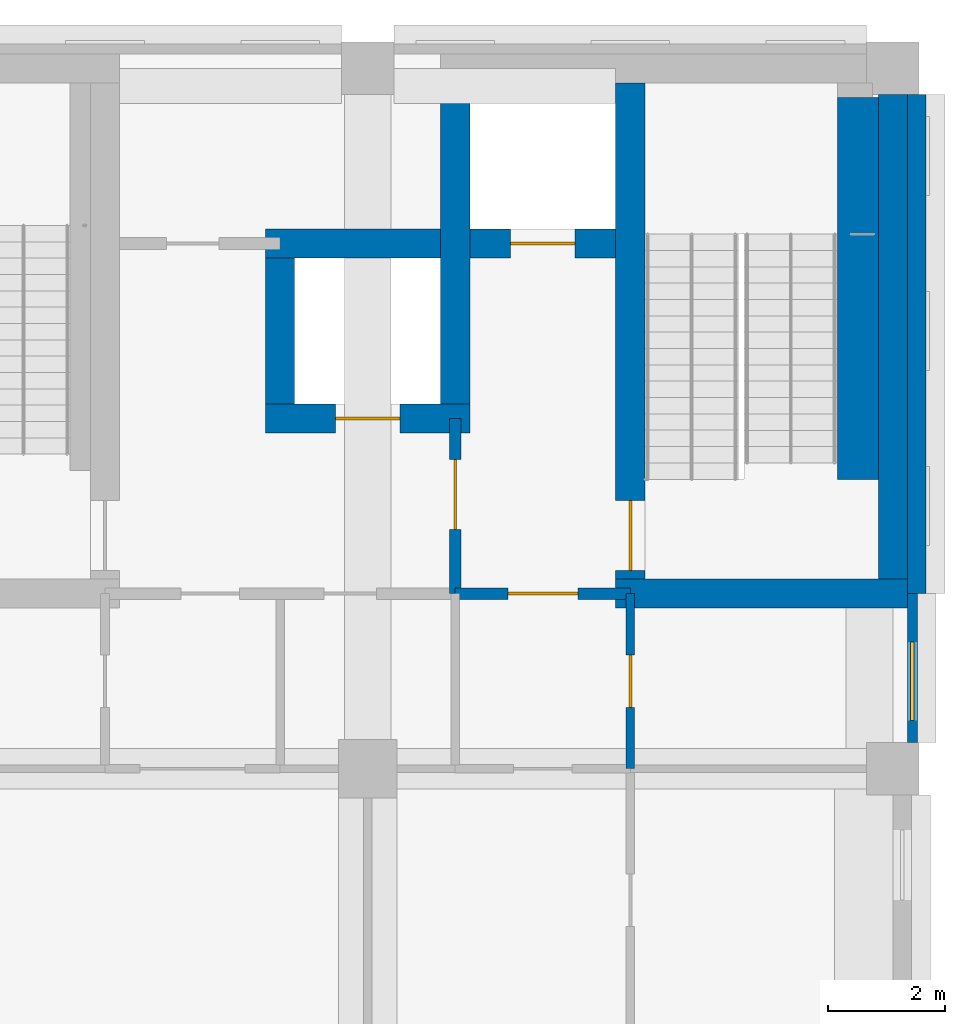
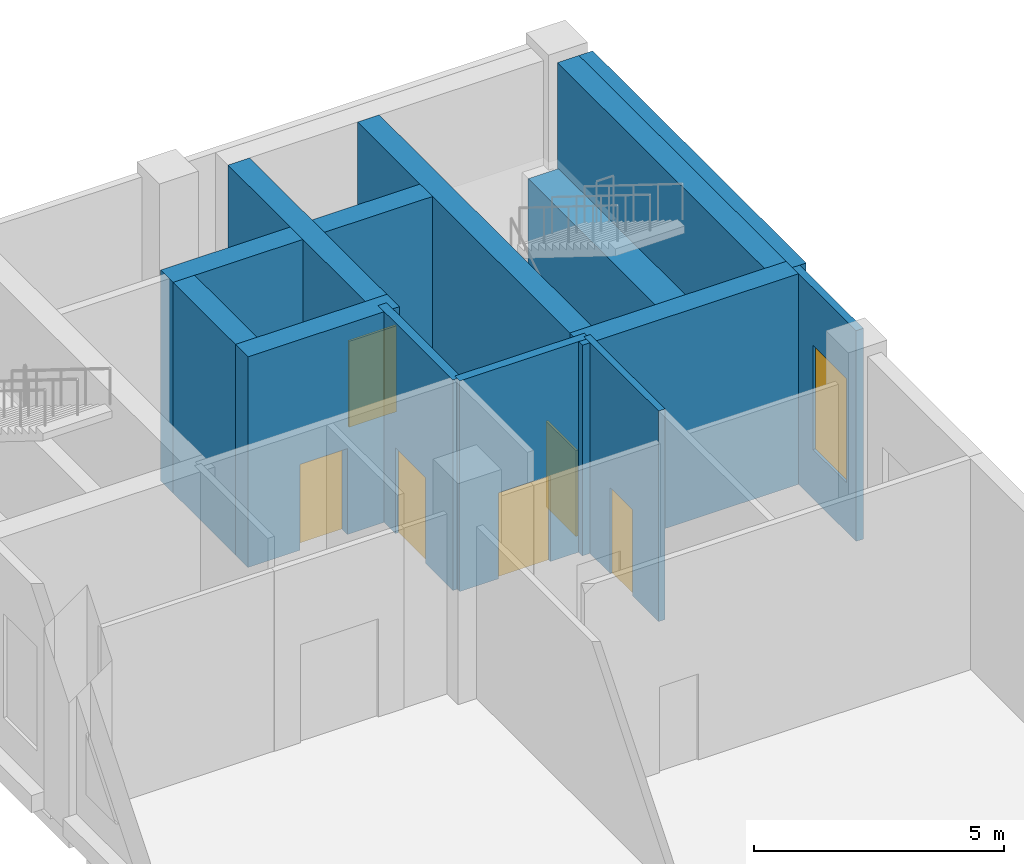
# One storey, part 35 of 53: 13 walls, 6 doors, 1 window, 7 openings.
"""IFC4 building model written with IfcOpenShell, lengths in metres."""

from ifc_helpers import new_model, si_unit, direction, frame, frame_2d, origin, place, context, subcontext, project, spatial, rectangle, extrude, material, layer, layer_set, type_object, element, fill, save


model = new_model("IFC4")

# Units and contexts
model_context = context("Model", 3, precision=1e-05, world=origin(), true_north=direction((0.0, 1.0)))
body_context = subcontext(model_context, "Body", "Model", "MODEL_VIEW")
ifc_project = project(units=[si_unit("LENGTHUNIT", "METRE"), si_unit("AREAUNIT", "SQUARE_METRE"), si_unit("VOLUMEUNIT", "CUBIC_METRE"), si_unit("PLANEANGLEUNIT", "RADIAN"), si_unit("MASSUNIT", "GRAM", prefix="KILO")], contexts=[model_context])

# Site, building, storey
site_placement = place(None, origin())
site = spatial("IfcSite", under=ifc_project, at=site_placement, CompositionType="ELEMENT")
building_placement = place(site_placement, origin())
building = spatial("IfcBuilding", under=site, at=building_placement, Name="Aurelan Courthouse", CompositionType="ELEMENT")
storey_placement = place(building_placement, frame((0.0, 0.0, 12.0)))
storey = spatial("IfcBuildingStorey", under=building, at=storey_placement, Name="L02", CompositionType="ELEMENT", Elevation=12.0)

# Wall, opening, door
ifc_material_1 = material(Name="Gypsum board on metal studs")
ifc_layer_1 = layer(ifc_material_1, 0.14990234375)
ifc_layer_set_1 = layer_set([ifc_layer_1], Name="Gypsum board on metal studs")
wall_type_1 = type_object("IfcWallType", Name="Corridor partition 150 EI 60", PredefinedType="PARTITIONING", material=ifc_layer_set_1)
wall_1_placement = place(storey_placement, frame((85.5, 54.0, 0.0), z_axis=(0.0, 0.0, 1.0), x_axis=(0.0, 1.0, 0.0)))
wall_1 = element("IfcWall", 1, at=wall_1_placement, inside=storey, type_object=wall_type_1, Name="Corridor partition L02-083", PredefinedType="PARTITIONING", context=body_context, shape_type="SweptSolid", body=[
    extrude(rectangle(XDim=3.0, YDim=0.14990234375, at=frame_2d((1.5, 0.0))), origin(), (0.0, 0.0, 1.0), 5.14990234375),
])
opening_1_placement = place(wall_1_placement, frame((1.949951171875, 0.0, 0.0), z_axis=(0.0, 0.0, 1.0), x_axis=(-1.0, 0.0, 0.0)))
opening_1 = element("IfcOpeningElement", 2, at=opening_1_placement, cuts=wall_1, Name="Opening D-L02-041", PredefinedType="OPENING", context=body_context, shape_type="SweptSolid", body=[
    extrude(rectangle(XDim=0.89990234375, YDim=2.10009765625, at=frame_2d((0.449951171875, 1.050048828125))), frame((0.0, 0.0849609375, 0.0), z_axis=(0.0, -1.0, 0.0), x_axis=(1.0, 0.0, 0.0)), (0.0, 0.0, 1.0), 0.169921875),
])
ifc_material_2 = material(Name="Steel", Category="steel")
door_type_1 = type_object("IfcDoorType", Name="Single door 900 x 2100 FD60", OperationType="SINGLE_SWING_LEFT", PredefinedType="DOOR", material=ifc_material_2)
door_1_placement = place(opening_1_placement, origin())
door_1 = element("IfcDoor", 3, at=door_1_placement, inside=storey, type_object=door_type_1, Name="Single door D-L02-041", OperationType="SINGLE_SWING_LEFT", OverallHeight=2.10009765625, OverallWidth=0.89990234375, PredefinedType="DOOR", context=body_context, shape_type="SweptSolid", body=[
    extrude(rectangle(XDim=0.89990234375, YDim=2.10009765625, at=frame_2d((0.449951171875, 1.050048828125))), frame((0.0, 0.02490234375, 0.0), z_axis=(0.0, -1.0, 0.0), x_axis=(1.0, 0.0, 0.0)), (0.0, 0.0, 1.0), 0.050048828125),
])
fill(opening_1, door_1)

# Wall, opening, window
ifc_material_3 = material(Name="Limestone cladding", Category="masonry")
ifc_layer_2 = layer(ifc_material_3, 0.050048828125, Name="Facing")
ifc_material_4 = material(Name="Ventilated cavity")
ifc_layer_3 = layer(ifc_material_4, 0.02490234375, ventilated=True, Name="Ventilated cavity")
ifc_material_5 = material(Name="Mineral wool insulation")
ifc_layer_4 = layer(ifc_material_5, 0.02490234375, Name="Insulation")
ifc_material_6 = material(Name="Concrete C30", Category="concrete")
ifc_layer_5 = layer(ifc_material_6, 0.070068359375, Name="Structure")
ifc_layer_set_2 = layer_set([ifc_layer_2, ifc_layer_3, ifc_layer_4, ifc_layer_5], Name="Concrete C30")
wall_type_2 = type_object("IfcWallType", Name="Law Library stone-faced wall 170", PredefinedType="SOLIDWALL", material=ifc_layer_set_2)
wall_2_placement = place(storey_placement, frame((90.3349609375, 54.449951171875, 0.0), z_axis=(0.0, 0.0, 1.0), x_axis=(0.0, 1.0, 0.0)))
wall_2 = element("IfcWall", 4, at=wall_2_placement, inside=storey, type_object=wall_type_2, Name="Facade wall FW-V3-L02-006", PredefinedType="SOLIDWALL", context=body_context, shape_type="SweptSolid", body=[
    extrude(rectangle(XDim=2.550048828125, YDim=0.169921875, at=frame_2d((1.27490234375, 0.0))), origin(), (0.0, 0.0, 1.0), 5.14990234375),
])
opening_2_placement = place(wall_2_placement, frame((0.375, 0.0, 1.199951171875)))
opening_2 = element("IfcOpeningElement", 5, at=opening_2_placement, cuts=wall_2, Name="Opening WN-V3-L02-008", PredefinedType="OPENING", context=body_context, shape_type="SweptSolid", body=[
    extrude(rectangle(XDim=1.35009765625, YDim=2.550048828125, at=frame_2d((0.675048828125, 1.27490234375))), frame((0.0, 0.094970703125, 0.0), z_axis=(0.0, -1.0, 0.0), x_axis=(1.0, 0.0, 0.0)), (0.0, 0.0, 1.0), 0.18994140625),
])
ifc_material_7 = material(Name="Bronze-finished aluminium and glass", Category="aluminium")
window_type = type_object("IfcWindowType", Name="Law Library window 1350 x 2550, sill 1200", PartitioningType="SINGLE_PANEL", PredefinedType="WINDOW", material=ifc_material_7)
window_placement = place(opening_2_placement, origin())
window = element("IfcWindow", 6, at=window_placement, inside=storey, type_object=window_type, Name="Window WN-V3-L02-008", OverallHeight=2.550048828125, OverallWidth=1.35009765625, PartitioningType="SINGLE_PANEL", PredefinedType="WINDOW", context=body_context, shape_type="SweptSolid", body=[
    extrude(rectangle(XDim=1.35009765625, YDim=2.550048828125, at=frame_2d((0.675048828125, 1.27490234375))), frame((0.0, 0.030029296875, 0.0), z_axis=(0.0, -1.0, 0.0), x_axis=(1.0, 0.0, 0.0)), (0.0, 0.0, 1.0), 0.06005859375),
])
fill(opening_2, window)

# Wall
ifc_layer_6 = layer(ifc_material_3, 0.090087890625, Name="Facing")
ifc_layer_7 = layer(ifc_material_4, 0.02490234375, ventilated=True, Name="Ventilated cavity")
ifc_layer_8 = layer(ifc_material_5, 0.044921875, Name="Insulation")
ifc_layer_9 = layer(ifc_material_6, 0.159912109375, Name="Structure")
ifc_layer_set_3 = layer_set([ifc_layer_6, ifc_layer_7, ifc_layer_8, ifc_layer_9], Name="Concrete C30")
wall_type_3 = type_object("IfcWallType", Name="Law Library stone-faced wall 320", PredefinedType="SOLIDWALL", material=ifc_layer_set_3)
wall_3_placement = place(storey_placement, frame((90.409912109375, 57.0, 0.0), z_axis=(0.0, 0.0, 1.0), x_axis=(0.0, 1.0, 0.0)))
element("IfcWall", 7, at=wall_3_placement, inside=storey, type_object=wall_type_3, Name="Facade wall FW-V3-L02-007", PredefinedType="SOLIDWALL", context=body_context, shape_type="SweptSolid", body=[
    extrude(rectangle(XDim=8.550048828125, YDim=0.320068359375, at=frame_2d((4.27490234375, 0.0))), origin(), (0.0, 0.0, 1.0), 5.14990234375),
])

# Wall, opening, door
ifc_material_8 = material(Name="Masonry block", Category="masonry")
ifc_layer_10 = layer(ifc_material_8, 0.199951171875)
ifc_layer_set_4 = layer_set([ifc_layer_10], Name="Masonry block")
wall_type_4 = type_object("IfcWallType", Name="Lift lobby wall 200 EI 60", PredefinedType="PARTITIONING", material=ifc_layer_set_4)
wall_4_placement = place(storey_placement, frame((82.5, 57.0, 0.0), z_axis=(0.0, 0.0, 1.0), x_axis=(1.0, 0.0, 0.0)))
wall_4 = element("IfcWall", 8, at=wall_4_placement, inside=storey, type_object=wall_type_4, Name="Lift lobby wall L02-044", PredefinedType="PARTITIONING", context=body_context, shape_type="SweptSolid", body=[
    extrude(rectangle(XDim=3.0, YDim=0.199951171875, at=frame_2d((1.5, 0.0))), origin(), (0.0, 0.0, 1.0), 5.14990234375),
])
opening_3_placement = place(wall_4_placement, frame((0.89990234375, 0.0, 0.0)))
opening_3 = element("IfcOpeningElement", 9, at=opening_3_placement, cuts=wall_4, Name="Opening D-L02-039", PredefinedType="OPENING", context=body_context, shape_type="SweptSolid", body=[
    extrude(rectangle(XDim=1.199951171875, YDim=2.10009765625, at=frame_2d((0.60009765625, 1.050048828125))), frame((0.0, 0.10986328125, 0.0), z_axis=(0.0, -1.0, 0.0), x_axis=(1.0, 0.0, 0.0)), (0.0, 0.0, 1.0), 0.219970703125),
])
door_type_2 = type_object("IfcDoorType", Name="Single door 1200 x 2100 FD60", OperationType="SINGLE_SWING_LEFT", PredefinedType="DOOR", material=ifc_material_2)
door_2_placement = place(opening_3_placement, origin())
door_2 = element("IfcDoor", 10, at=door_2_placement, inside=storey, type_object=door_type_2, Name="Single door D-L02-039", OperationType="SINGLE_SWING_RIGHT", OverallHeight=2.10009765625, OverallWidth=1.199951171875, PredefinedType="DOOR", context=body_context, shape_type="SweptSolid", body=[
    extrude(rectangle(XDim=1.199951171875, YDim=2.10009765625, at=frame_2d((0.60009765625, 1.050048828125))), frame((0.0, 0.02490234375, 0.0), z_axis=(0.0, -1.0, 0.0), x_axis=(1.0, 0.0, 0.0)), (0.0, 0.0, 1.0), 0.050048828125),
])
fill(opening_3, door_2)

wall_5_placement = place(storey_placement, frame((82.5, 57.0, 0.0), z_axis=(0.0, 0.0, 1.0), x_axis=(0.0, 1.0, 0.0)))
wall_5 = element("IfcWall", 11, at=wall_5_placement, inside=storey, type_object=wall_type_4, Name="Lift lobby wall L02-081", PredefinedType="PARTITIONING", context=body_context, shape_type="SweptSolid", body=[
    extrude(rectangle(XDim=3.0, YDim=0.199951171875, at=frame_2d((1.5, 0.0))), origin(), (0.0, 0.0, 1.0), 5.14990234375),
])
opening_4_placement = place(wall_5_placement, frame((2.300048828125, 0.0, 0.0), z_axis=(0.0, 0.0, 1.0), x_axis=(-1.0, 0.0, 0.0)))
opening_4 = element("IfcOpeningElement", 12, at=opening_4_placement, cuts=wall_5, Name="Opening D-L02-032", PredefinedType="OPENING", context=body_context, shape_type="SweptSolid", body=[
    extrude(rectangle(XDim=1.199951171875, YDim=2.10009765625, at=frame_2d((0.60009765625, 1.050048828125))), frame((0.0, 0.10986328125, 0.0), z_axis=(0.0, -1.0, 0.0), x_axis=(1.0, 0.0, 0.0)), (0.0, 0.0, 1.0), 0.219970703125),
])
door_3_placement = place(opening_4_placement, origin())
door_3 = element("IfcDoor", 13, at=door_3_placement, inside=storey, type_object=door_type_2, Name="Single door D-L02-032", OperationType="SINGLE_SWING_LEFT", OverallHeight=2.10009765625, OverallWidth=1.199951171875, PredefinedType="DOOR", context=body_context, shape_type="SweptSolid", body=[
    extrude(rectangle(XDim=1.199951171875, YDim=2.10009765625, at=frame_2d((0.60009765625, 1.050048828125))), frame((0.0, 0.02490234375, 0.0), z_axis=(0.0, -1.0, 0.0), x_axis=(1.0, 0.0, 0.0)), (0.0, 0.0, 1.0), 0.050048828125),
])
fill(opening_4, door_3)

# Wall
ifc_material_9 = material(Name="Concrete C50", Category="concrete")
ifc_layer_11 = layer(ifc_material_9, 0.5)
ifc_layer_set_5 = layer_set([ifc_layer_11], Name="Concrete C50")
wall_type_5 = type_object("IfcWallType", Name="RC shear wall 500", PredefinedType="SHEAR", material=ifc_layer_set_5)
wall_6_placement = place(storey_placement, frame((85.25, 57.0, 0.0), z_axis=(0.0, 0.0, 1.0), x_axis=(1.0, 0.0, 0.0)))
element("IfcWall", 14, at=wall_6_placement, inside=storey, type_object=wall_type_5, Name="Core wall SW-L02-043", PredefinedType="SHEAR", context=body_context, shape_type="SweptSolid", body=[
    extrude(rectangle(XDim=5.0, YDim=0.5, at=frame_2d((2.5, 0.0))), origin(), (0.0, 0.0, 1.0), 5.14990234375),
])

# Wall, opening, door
wall_7_placement = place(storey_placement, frame((85.5, 57.25, 0.0), z_axis=(0.0, 0.0, 1.0), x_axis=(0.0, 1.0, 0.0)))
wall_7 = element("IfcWall", 15, at=wall_7_placement, inside=storey, type_object=wall_type_5, Name="Core wall SW-L02-055", PredefinedType="SHEAR", context=body_context, shape_type="SweptSolid", body=[
    extrude(rectangle(XDim=8.5, YDim=0.5, at=frame_2d((4.25, 0.0))), origin(), (0.0, 0.0, 1.0), 5.14990234375),
])
opening_5_placement = place(wall_7_placement, frame((1.349853515625, 0.0, 0.0), z_axis=(0.0, 0.0, 1.0), x_axis=(-1.0, 0.0, 0.0)))
opening_5 = element("IfcOpeningElement", 16, at=opening_5_placement, cuts=wall_7, Name="Opening D-L02-036", PredefinedType="OPENING", context=body_context, shape_type="SweptSolid", body=[
    extrude(rectangle(XDim=1.199951171875, YDim=2.10009765625, at=frame_2d((0.60009765625, 1.050048828125))), frame((0.0, 0.260009765625, 0.0), z_axis=(0.0, -1.0, 0.0), x_axis=(1.0, 0.0, 0.0)), (0.0, 0.0, 1.0), 0.52001953125),
])
door_type_3 = type_object("IfcDoorType", Name="Single door 1200 x 2100 FD90", OperationType="SINGLE_SWING_LEFT", PredefinedType="DOOR", material=ifc_material_2)
door_4_placement = place(opening_5_placement, origin())
door_4 = element("IfcDoor", 17, at=door_4_placement, inside=storey, type_object=door_type_3, Name="Single door D-L02-036", OperationType="SINGLE_SWING_RIGHT", OverallHeight=2.10009765625, OverallWidth=1.199951171875, PredefinedType="DOOR", context=body_context, shape_type="SweptSolid", body=[
    extrude(rectangle(XDim=1.199951171875, YDim=2.10009765625, at=frame_2d((0.60009765625, 1.050048828125))), frame((0.0, 0.02490234375, 0.0), z_axis=(0.0, -1.0, 0.0), x_axis=(1.0, 0.0, 0.0)), (0.0, 0.0, 1.0), 0.050048828125),
])
fill(opening_5, door_4)

# Wall
wall_8_placement = place(storey_placement, frame((90.0, 57.25, 0.0), z_axis=(0.0, 0.0, 1.0), x_axis=(0.0, 1.0, 0.0)))
element("IfcWall", 18, at=wall_8_placement, inside=storey, type_object=wall_type_5, Name="Core wall SW-L02-056", PredefinedType="SHEAR", context=body_context, shape_type="SweptSolid", body=[
    extrude(rectangle(XDim=8.300048828125, YDim=0.5, at=frame_2d((4.14990234375, 0.0))), origin(), (0.0, 0.0, 1.0), 5.14990234375),
])

# Wall, opening, door
wall_9_placement = place(storey_placement, frame((79.25, 60.0, 0.0), z_axis=(0.0, 0.0, 1.0), x_axis=(1.0, 0.0, 0.0)))
wall_9 = element("IfcWall", 19, at=wall_9_placement, inside=storey, type_object=wall_type_5, Name="Core wall SW-L02-061", PredefinedType="SHEAR", context=body_context, shape_type="SweptSolid", body=[
    extrude(rectangle(XDim=3.5, YDim=0.5, at=frame_2d((1.75, 0.0))), origin(), (0.0, 0.0, 1.0), 5.14990234375),
])
opening_6_placement = place(wall_9_placement, frame((1.199951171875, 0.0, 0.0)))
opening_6 = element("IfcOpeningElement", 20, at=opening_6_placement, cuts=wall_9, Name="Opening LD-V3-P1-L02", PredefinedType="OPENING", context=body_context, shape_type="SweptSolid", body=[
    extrude(rectangle(XDim=1.10009765625, YDim=2.10009765625, at=frame_2d((0.550048828125, 1.050048828125))), frame((0.0, 0.260009765625, 0.0), z_axis=(0.0, -1.0, 0.0), x_axis=(1.0, 0.0, 0.0)), (0.0, 0.0, 1.0), 0.52001953125),
])
door_type_4 = type_object("IfcDoorType", Name="Lift landing door 1100 x 2100 FD90", OperationType="SLIDING_TO_LEFT", PredefinedType="DOOR", material=ifc_material_2)
door_5_placement = place(opening_6_placement, origin())
door_5 = element("IfcDoor", 21, at=door_5_placement, inside=storey, type_object=door_type_4, Name="Lift landing door LD-V3-P1-L02", OperationType="SLIDING_TO_LEFT", OverallHeight=2.10009765625, OverallWidth=1.10009765625, PredefinedType="DOOR", context=body_context, shape_type="SweptSolid", body=[
    extrude(rectangle(XDim=1.10009765625, YDim=2.10009765625, at=frame_2d((0.550048828125, 1.050048828125))), frame((0.0, 0.02490234375, 0.0), z_axis=(0.0, -1.0, 0.0), x_axis=(1.0, 0.0, 0.0)), (0.0, 0.0, 1.0), 0.050048828125),
])
fill(opening_6, door_5)

# Walls
wall_10_placement = place(storey_placement, frame((79.5, 60.25, 0.0), z_axis=(0.0, 0.0, 1.0), x_axis=(0.0, 1.0, 0.0)))
element("IfcWall", 22, at=wall_10_placement, inside=storey, type_object=wall_type_5, Name="Core wall SW-L02-066", PredefinedType="SHEAR", context=body_context, shape_type="SweptSolid", body=[
    extrude(rectangle(XDim=2.5, YDim=0.5, at=frame_2d((1.25, 0.0))), origin(), (0.0, 0.0, 1.0), 5.14990234375),
])
wall_11_placement = place(storey_placement, frame((82.5, 60.25, 0.0), z_axis=(0.0, 0.0, 1.0), x_axis=(0.0, 1.0, 0.0)))
element("IfcWall", 23, at=wall_11_placement, inside=storey, type_object=wall_type_5, Name="Core wall SW-L02-067", PredefinedType="SHEAR", context=body_context, shape_type="SweptSolid", body=[
    extrude(rectangle(XDim=5.5, YDim=0.5, at=frame_2d((2.75, 0.0))), origin(), (0.0, 0.0, 1.0), 5.14990234375),
])

# Wall, opening, door
wall_12_placement = place(storey_placement, frame((79.25, 63.0, 0.0), z_axis=(0.0, 0.0, 1.0), x_axis=(1.0, 0.0, 0.0)))
wall_12 = element("IfcWall", 24, at=wall_12_placement, inside=storey, type_object=wall_type_5, Name="Core wall SW-L02-071", PredefinedType="SHEAR", context=body_context, shape_type="SweptSolid", body=[
    extrude(rectangle(XDim=6.0, YDim=0.5, at=frame_2d((3.0, 0.0))), origin(), (0.0, 0.0, 1.0), 5.14990234375),
])
opening_7_placement = place(wall_12_placement, frame((4.199951171875, 0.0, 0.0)))
opening_7 = element("IfcOpeningElement", 25, at=opening_7_placement, cuts=wall_12, Name="Opening LD-V3-F1-L02", PredefinedType="OPENING", context=body_context, shape_type="SweptSolid", body=[
    extrude(rectangle(XDim=1.10009765625, YDim=2.10009765625, at=frame_2d((0.550048828125, 1.050048828125))), frame((0.0, 0.260009765625, 0.0), z_axis=(0.0, -1.0, 0.0), x_axis=(1.0, 0.0, 0.0)), (0.0, 0.0, 1.0), 0.52001953125),
])
door_6_placement = place(opening_7_placement, origin())
door_6 = element("IfcDoor", 26, at=door_6_placement, inside=storey, type_object=door_type_4, Name="Lift landing door LD-V3-F1-L02", OperationType="SLIDING_TO_LEFT", OverallHeight=2.10009765625, OverallWidth=1.10009765625, PredefinedType="DOOR", context=body_context, shape_type="SweptSolid", body=[
    extrude(rectangle(XDim=1.10009765625, YDim=2.10009765625, at=frame_2d((0.550048828125, 1.050048828125))), frame((0.0, 0.02490234375, 0.0), z_axis=(0.0, -1.0, 0.0), x_axis=(1.0, 0.0, 0.0)), (0.0, 0.0, 1.0), 0.050048828125),
])
fill(opening_7, door_6)

# Wall
ifc_layer_12 = layer(ifc_material_6, 0.699951171875)
ifc_layer_set_6 = layer_set([ifc_layer_12], Name="Concrete C30")
wall_type_6 = type_object("IfcWallType", Name="Stair well wall 700 EI 120 load-bearing", PredefinedType="SHEAR", material=ifc_layer_set_6)
wall_13_placement = place(storey_placement, frame((89.39990234375, 58.9599609375, 0.0), z_axis=(0.0, 0.0, 1.0), x_axis=(0.0, 1.0, 0.0)))
element("IfcWall", 27, at=wall_13_placement, inside=storey, type_object=wall_type_6, Name="Stair well wall ST-3B-L02 B", PredefinedType="SHEAR", context=body_context, shape_type="SweptSolid", body=[
    extrude(rectangle(XDim=6.5400390625, YDim=0.699951171875, at=frame_2d((3.27001953125, 0.0))), origin(), (0.0, 0.0, 1.0), 2.587158203125),
])

save(model, "model.ifc")
